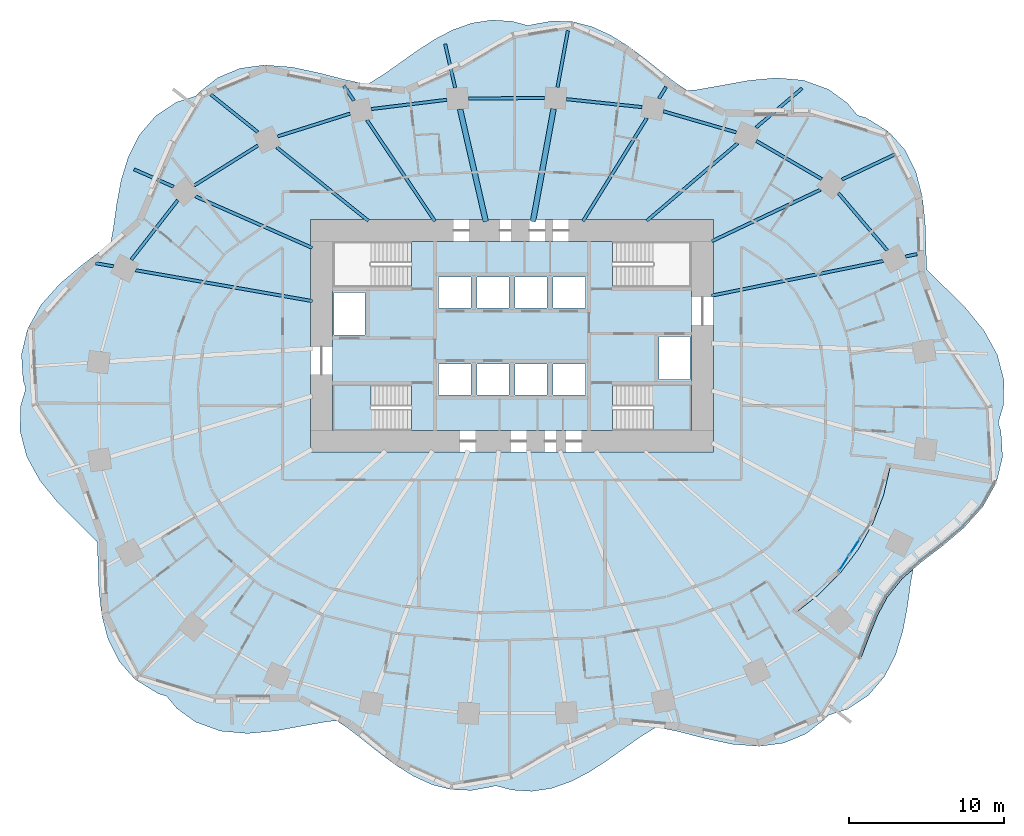
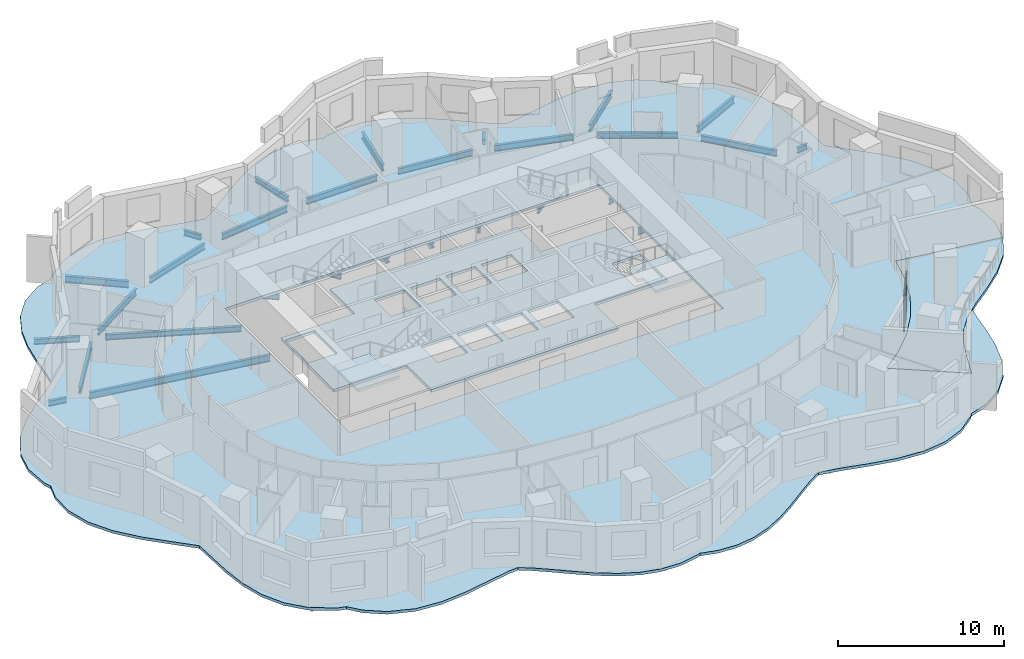
# One storey, part 3 of 14: 29 beams, 5 slabs, 2 plates, 3 elements without a shape of their own.
"""IFC4 building model written with IfcOpenShell, lengths in metres."""

from ifc_helpers import new_model, si_unit, direction, frame, origin, origin_2d, place, context, subcontext, project, spatial, polyline, rectangle, i_section, outline, extrude, material, layer, layer_set, material_profile, profile_set, type_object, element, aggregate, save


model = new_model("IFC4")

# Units and contexts
model_context = context("Model", 3, precision=1e-05, world=origin(), true_north=direction((0.0, 1.0)))
body_context = subcontext(model_context, "Body", "Model", "MODEL_VIEW")
ifc_project = project(units=[si_unit("LENGTHUNIT", "METRE"), si_unit("AREAUNIT", "SQUARE_METRE"), si_unit("VOLUMEUNIT", "CUBIC_METRE"), si_unit("PLANEANGLEUNIT", "RADIAN"), si_unit("MASSUNIT", "GRAM", prefix="KILO")], contexts=[model_context])

# Site, building, storey
site_placement = place(None, origin())
site = spatial("IfcSite", under=ifc_project, at=site_placement, CompositionType="ELEMENT")
building_placement = place(site_placement, origin())
building = spatial("IfcBuilding", under=site, at=building_placement, Name="Rubra Terraces Tower", CompositionType="ELEMENT")
storey_placement = place(building_placement, frame((0.0, 0.0, 62.699951171875)))
storey = spatial("IfcBuildingStorey", under=building, at=storey_placement, Name="L13", CompositionType="ELEMENT", Elevation=62.699951171875)

# Beams
ifc_material_1 = material(Name="Steel Q355B", Category="steel")
ifc_material_profile_1 = material_profile(ifc_material_1, i_section(OverallWidth=0.199951171875, OverallDepth=0.39990234375, WebThickness=0.008056640625, FlangeThickness=0.012939453125, at=origin_2d()), Name="HN 400x200x8x13")
ifc_profile_set_1 = profile_set([ifc_material_profile_1], Name="Steel Q355B")
beam_type_1 = type_object("IfcBeamType", Name="CANTILEVER BEAM HN 400x200x8x13", PredefinedType="BEAM", material=ifc_profile_set_1)
beam_1_placement = place(storey_placement, frame((-3.6669921875, 20.514892578125, -0.39990234375), z_axis=(-0.223149467585, 0.974784240289, 0.0), x_axis=(-0.974784240289, -0.223149467585, 0.0)))
element("IfcBeam", 1, at=beam_1_placement, inside=storey, type_object=beam_type_1, Name="beam-L13-cant-07", PredefinedType="BEAM", context=body_context, shape_type="SweptSolid", body=[
    extrude(i_section(OverallWidth=0.199951171875, OverallDepth=0.39990234375, WebThickness=0.008056640625, FlangeThickness=0.012939453125, at=origin_2d()), origin(), (0.0, 0.0, 1.0), 2.899169921875),
])
beam_2_placement = place(storey_placement, frame((-21.8369140625, 14.1259765625, -0.39990234375), z_axis=(-0.914977711783, 0.403504382802, 0.0), x_axis=(-0.403504382802, -0.914977711783, 0.0)))
element("IfcBeam", 2, at=beam_2_placement, inside=storey, type_object=beam_type_1, Name="beam-L13-cant-10", PredefinedType="BEAM", context=body_context, shape_type="SweptSolid", body=[
    extrude(i_section(OverallWidth=0.199951171875, OverallDepth=0.39990234375, WebThickness=0.008056640625, FlangeThickness=0.012939453125, at=origin_2d()), origin(), (0.0, 0.0, 1.0), 2.7880859375),
])
ifc_material_profile_2 = material_profile(ifc_material_1, i_section(OverallWidth=0.198974609375, OverallDepth=0.49609375, WebThickness=0.009033203125, FlangeThickness=0.013916015625, at=origin_2d()), Name="HN 496x199x9x14")
ifc_profile_set_2 = profile_set([ifc_material_profile_2], Name="Steel Q355B")
beam_type_2 = type_object("IfcBeamType", Name="CANTILEVER BEAM HN 496x199x9x14", PredefinedType="BEAM", material=ifc_profile_set_2)
beam_3_placement = place(storey_placement, frame((21.2958984375, 14.595947265625, -0.447998046875), z_axis=(0.903605833067, 0.428364912717, 0.0), x_axis=(-0.428364912717, 0.903605833067, 0.0)))
element("IfcBeam", 3, at=beam_3_placement, inside=storey, type_object=beam_type_2, Name="beam-L13-cant-03", PredefinedType="BEAM", context=body_context, shape_type="SweptSolid", body=[
    extrude(i_section(OverallWidth=0.198974609375, OverallDepth=0.49609375, WebThickness=0.009033203125, FlangeThickness=0.013916015625, at=origin_2d()), origin(), (0.0, 0.0, 1.0), 3.880126953125),
])
beam_4_placement = place(storey_placement, frame((15.7509765625, 17.947998046875, -0.447998046875), z_axis=(0.760549427377, 0.649280038594, 0.0), x_axis=(-0.649280038594, 0.760549427377, 0.0)))
element("IfcBeam", 4, at=beam_4_placement, inside=storey, type_object=beam_type_2, Name="beam-L13-cant-04", PredefinedType="BEAM", context=body_context, shape_type="SweptSolid", body=[
    extrude(i_section(OverallWidth=0.198974609375, OverallDepth=0.49609375, WebThickness=0.009033203125, FlangeThickness=0.013916015625, at=origin_2d()), origin(), (0.0, 0.0, 1.0), 3.901123046875),
])
beam_5_placement = place(storey_placement, frame((2.93798828125, 20.549072265625, -0.447998046875), z_axis=(0.180160105154, 0.983637299268, 0.0), x_axis=(-0.983637299268, 0.180160105154, 0.0)))
element("IfcBeam", 5, at=beam_5_placement, inside=storey, type_object=beam_type_2, Name="beam-L13-cant-06", PredefinedType="BEAM", context=body_context, shape_type="SweptSolid", body=[
    extrude(i_section(OverallWidth=0.198974609375, OverallDepth=0.49609375, WebThickness=0.009033203125, FlangeThickness=0.013916015625, at=origin_2d()), origin(), (0.0, 0.0, 1.0), 3.70751953125),
])
beam_6_placement = place(storey_placement, frame((-16.408935546875, 17.654052734375, -0.447998046875), z_axis=(-0.780303082646, 0.625401550376, 0.0), x_axis=(-0.625401550376, -0.780303082646, 0.0)))
element("IfcBeam", 6, at=beam_6_placement, inside=storey, type_object=beam_type_2, Name="beam-L13-cant-09", PredefinedType="BEAM", context=body_context, shape_type="SweptSolid", body=[
    extrude(i_section(OverallWidth=0.198974609375, OverallDepth=0.49609375, WebThickness=0.009033203125, FlangeThickness=0.013916015625, at=origin_2d()), origin(), (0.0, 0.0, 1.0), 3.875732421875),
])
ifc_material_profile_3 = material_profile(ifc_material_1, i_section(OverallWidth=0.199951171875, OverallDepth=0.39990234375, WebThickness=0.008056640625, FlangeThickness=0.012939453125, at=origin_2d()), Name="HN 400x200x8x13")
ifc_profile_set_3 = profile_set([ifc_material_profile_3], Name="Steel Q355B")
beam_type_3 = type_object("IfcBeamType", Name="CANTILEVER STUB HN 400x200x8x13", PredefinedType="BEAM", material=ifc_profile_set_3)
beam_7_placement = place(storey_placement, frame((25.39599609375, 9.6279296875, -0.39990234375), z_axis=(0.980131570492, 0.198348442202, 0.0), x_axis=(-0.198348442202, 0.980131570492, 0.0)))
element("IfcBeam", 7, at=beam_7_placement, inside=storey, type_object=beam_type_3, Name="beam-L13-cant-02", PredefinedType="BEAM", context=body_context, shape_type="SweptSolid", body=[
    extrude(i_section(OverallWidth=0.199951171875, OverallDepth=0.39990234375, WebThickness=0.008056640625, FlangeThickness=0.012939453125, at=origin_2d()), origin(), (0.0, 0.0, 1.0), 0.757080078125),
])
beam_8_placement = place(storey_placement, frame((9.488037109375, 19.827880859375, -0.39990234375), z_axis=(0.526364336009, 0.850259128606, 0.0), x_axis=(-0.850259128606, 0.526364336009, 0.0)))
element("IfcBeam", 8, at=beam_8_placement, inside=storey, type_object=beam_type_3, Name="beam-L13-cant-05", PredefinedType="BEAM", context=body_context, shape_type="SweptSolid", body=[
    extrude(i_section(OverallWidth=0.199951171875, OverallDepth=0.39990234375, WebThickness=0.008056640625, FlangeThickness=0.012939453125, at=origin_2d()), origin(), (0.0, 0.0, 1.0), 0.864501953125),
])
beam_9_placement = place(storey_placement, frame((-10.199951171875, 19.68310546875, -0.39990234375), z_axis=(-0.557843143938, 0.829946399932, 0.0), x_axis=(-0.829946399932, -0.557843143938, 0.0)))
element("IfcBeam", 9, at=beam_9_placement, inside=storey, type_object=beam_type_3, Name="beam-L13-cant-08", PredefinedType="BEAM", context=body_context, shape_type="SweptSolid", body=[
    extrude(i_section(OverallWidth=0.199951171875, OverallDepth=0.39990234375, WebThickness=0.008056640625, FlangeThickness=0.012939453125, at=origin_2d()), origin(), (0.0, 0.0, 1.0), 1.163818359375),
])
beam_10_placement = place(storey_placement, frame((-25.722900390625, 8.991943359375, -0.39990234375), z_axis=(-0.985070350179, 0.172152273287, 0.0), x_axis=(-0.172152273287, -0.985070350179, 0.0)))
element("IfcBeam", 10, at=beam_10_placement, inside=storey, type_object=beam_type_3, Name="beam-L13-cant-11", PredefinedType="BEAM", context=body_context, shape_type="SweptSolid", body=[
    extrude(i_section(OverallWidth=0.199951171875, OverallDepth=0.39990234375, WebThickness=0.008056640625, FlangeThickness=0.012939453125, at=origin_2d()), origin(), (0.0, 0.0, 1.0), 1.16845703125),
])
ifc_material_profile_4 = material_profile(ifc_material_1, i_section(OverallWidth=0.199951171875, OverallDepth=0.39990234375, WebThickness=0.008056640625, FlangeThickness=0.012939453125, at=origin_2d()), Name="HN 400x200x8x13")
ifc_profile_set_4 = profile_set([ifc_material_profile_4], Name="Steel Q355B")
beam_type_4 = type_object("IfcBeamType", Name="FLOOR BEAM HN 400x200x8x13", PredefinedType="BEAM", material=ifc_profile_set_4)
beam_11_placement = place(storey_placement, frame((19.904052734375, 13.93603515625, -0.39990234375), z_axis=(-0.903612237836, -0.428351402045, 0.0), x_axis=(0.428351402045, -0.903612237836, 0.0)))
element("IfcBeam", 11, at=beam_11_placement, inside=storey, type_object=beam_type_4, Name="beam-L13-floor-03", PredefinedType="BEAM", context=body_context, shape_type="SweptSolid", body=[
    extrude(i_section(OverallWidth=0.199951171875, OverallDepth=0.39990234375, WebThickness=0.008056640625, FlangeThickness=0.012939453125, at=origin_2d()), origin(), (0.0, 0.0, 1.0), 7.760009765625),
])
beam_12_placement = place(storey_placement, frame((14.56298828125, 16.93408203125, -0.39990234375), z_axis=(-0.760494401061, -0.649344489431, 0.0), x_axis=(0.649344489431, -0.760494401061, 0.0)))
element("IfcBeam", 12, at=beam_12_placement, inside=storey, type_object=beam_type_4, Name="beam-L13-floor-04", PredefinedType="BEAM", context=body_context, shape_type="SweptSolid", body=[
    extrude(i_section(OverallWidth=0.199951171875, OverallDepth=0.39990234375, WebThickness=0.008056640625, FlangeThickness=0.012939453125, at=origin_2d()), origin(), (0.0, 0.0, 1.0), 7.718505859375),
])
beam_13_placement = place(storey_placement, frame((8.699951171875, 18.555908203125, -0.39990234375), z_axis=(-0.526285914839, -0.850307671283, 0.0), x_axis=(0.850307671283, -0.526285914839, 0.0)))
element("IfcBeam", 13, at=beam_13_placement, inside=storey, type_object=beam_type_4, Name="beam-L13-floor-05", PredefinedType="BEAM", context=body_context, shape_type="SweptSolid", body=[
    extrude(i_section(OverallWidth=0.199951171875, OverallDepth=0.39990234375, WebThickness=0.008056640625, FlangeThickness=0.012939453125, at=origin_2d()), origin(), (0.0, 0.0, 1.0), 7.830078125),
])
beam_14_placement = place(storey_placement, frame((-9.360107421875, 18.43310546875, -0.39990234375), z_axis=(0.557574689395, -0.830126776912, 0.0), x_axis=(0.830126776912, 0.557574689395, 0.0)))
element("IfcBeam", 14, at=beam_14_placement, inside=storey, type_object=beam_type_4, Name="beam-L13-floor-08", PredefinedType="BEAM", context=body_context, shape_type="SweptSolid", body=[
    extrude(i_section(OverallWidth=0.199951171875, OverallDepth=0.39990234375, WebThickness=0.008056640625, FlangeThickness=0.012939453125, at=origin_2d()), origin(), (0.0, 0.0, 1.0), 7.8701171875),
])
beam_15_placement = place(storey_placement, frame((-15.18896484375, 16.676025390625, -0.39990234375), z_axis=(0.780266406942, -0.625447307291, 0.0), x_axis=(0.625447307291, 0.780266406942, 0.0)))
element("IfcBeam", 15, at=beam_15_placement, inside=storey, type_object=beam_type_4, Name="beam-L13-floor-09", PredefinedType="BEAM", context=body_context, shape_type="SweptSolid", body=[
    extrude(i_section(OverallWidth=0.199951171875, OverallDepth=0.39990234375, WebThickness=0.008056640625, FlangeThickness=0.012939453125, at=origin_2d()), origin(), (0.0, 0.0, 1.0), 7.59619140625),
])
beam_16_placement = place(storey_placement, frame((-20.43310546875, 13.508056640625, -0.39990234375), z_axis=(0.914994662209, -0.4034659442, 0.0), x_axis=(0.4034659442, 0.914994662209, 0.0)))
element("IfcBeam", 16, at=beam_16_placement, inside=storey, type_object=beam_type_4, Name="beam-L13-floor-10", PredefinedType="BEAM", context=body_context, shape_type="SweptSolid", body=[
    extrude(i_section(OverallWidth=0.199951171875, OverallDepth=0.39990234375, WebThickness=0.008056640625, FlangeThickness=0.012939453125, at=origin_2d()), origin(), (0.0, 0.0, 1.0), 8.243896484375),
])
ifc_material_profile_5 = material_profile(ifc_material_1, i_section(OverallWidth=0.198974609375, OverallDepth=0.49609375, WebThickness=0.009033203125, FlangeThickness=0.013916015625, at=origin_2d()), Name="HN 496x199x9x14")
ifc_profile_set_5 = profile_set([ifc_material_profile_5], Name="Steel Q355B")
beam_type_5 = type_object("IfcBeamType", Name="FLOOR BEAM HN 496x199x9x14", PredefinedType="BEAM", material=ifc_profile_set_5)
beam_17_placement = place(storey_placement, frame((23.9560546875, 9.337890625, -0.447998046875), z_axis=(-0.980204035637, -0.197990021264, 0.0), x_axis=(0.197990021264, -0.980204035637, 0.0)))
element("IfcBeam", 17, at=beam_17_placement, inside=storey, type_object=beam_type_5, Name="beam-L13-floor-02", PredefinedType="BEAM", context=body_context, shape_type="SweptSolid", body=[
    extrude(i_section(OverallWidth=0.198974609375, OverallDepth=0.49609375, WebThickness=0.009033203125, FlangeThickness=0.013916015625, at=origin_2d()), origin(), (0.0, 0.0, 1.0), 11.297607421875),
])
beam_18_placement = place(storey_placement, frame((-24.282958984375, 8.739990234375, -0.447998046875), z_axis=(0.985091834527, -0.172029292701, 0.0), x_axis=(0.172029292701, 0.985091834527, 0.0)))
element("IfcBeam", 18, at=beam_18_placement, inside=storey, type_object=beam_type_5, Name="beam-L13-floor-11", PredefinedType="BEAM", context=body_context, shape_type="SweptSolid", body=[
    extrude(i_section(OverallWidth=0.198974609375, OverallDepth=0.49609375, WebThickness=0.009033203125, FlangeThickness=0.013916015625, at=origin_2d()), origin(), (0.0, 0.0, 1.0), 11.573486328125),
])
ifc_material_profile_6 = material_profile(ifc_material_1, i_section(OverallWidth=0.35009765625, OverallDepth=0.35009765625, WebThickness=0.011962890625, FlangeThickness=0.01904296875, at=origin_2d()), Name="HW 350x350x12x19")
ifc_profile_set_6 = profile_set([ifc_material_profile_6], Name="Steel Q355B")
beam_type_6 = type_object("IfcBeamType", Name="FLOOR BEAM HW 350x350x12x19", PredefinedType="BEAM", material=ifc_profile_set_6)
beam_19_placement = place(storey_placement, frame((2.68408203125, 19.158935546875, -0.375), z_axis=(-0.180186319425, -0.983632497578, 0.0), x_axis=(0.983632497578, -0.180186319425, 0.0)))
element("IfcBeam", 19, at=beam_19_placement, inside=storey, type_object=beam_type_6, Name="beam-L13-floor-06", PredefinedType="BEAM", context=body_context, shape_type="SweptSolid", body=[
    extrude(i_section(OverallWidth=0.35009765625, OverallDepth=0.35009765625, WebThickness=0.011962890625, FlangeThickness=0.01904296875, at=origin_2d()), origin(), (0.0, 0.0, 1.0), 7.39794921875),
])
beam_20_placement = place(storey_placement, frame((-3.35107421875, 19.133056640625, -0.375), z_axis=(0.223209821828, -0.974770421914, 0.0), x_axis=(0.974770421914, 0.223209821828, 0.0)))
element("IfcBeam", 20, at=beam_20_placement, inside=storey, type_object=beam_type_6, Name="beam-L13-floor-07", PredefinedType="BEAM", context=body_context, shape_type="SweptSolid", body=[
    extrude(i_section(OverallWidth=0.35009765625, OverallDepth=0.35009765625, WebThickness=0.011962890625, FlangeThickness=0.01904296875, at=origin_2d()), origin(), (0.0, 0.0, 1.0), 7.437744140625),
])
ifc_material_profile_7 = material_profile(ifc_material_1, i_section(OverallWidth=0.198974609375, OverallDepth=0.446044921875, WebThickness=0.008056640625, FlangeThickness=0.011962890625, at=origin_2d()), Name="HN 446x199x8x12")
ifc_profile_set_7 = profile_set([ifc_material_profile_7], Name="Steel Q355B")
beam_type_7 = type_object("IfcBeamType", Name="SPANDREL BEAM HN 446x199x8x12", PredefinedType="SPANDREL", material=ifc_profile_set_7)
beam_21_placement = place(storey_placement, frame((24.212890625, 10.02587890625, -0.4228515625), z_axis=(-0.648447050824, 0.761259760054, 0.0), x_axis=(-0.761259760054, -0.648447050824, 0.0)))
element("IfcBeam", 21, at=beam_21_placement, inside=storey, type_object=beam_type_7, Name="beam-L13-spandrel-02", PredefinedType="SPANDREL", context=body_context, shape_type="SweptSolid", body=[
    extrude(i_section(OverallWidth=0.198974609375, OverallDepth=0.446044921875, WebThickness=0.008056640625, FlangeThickness=0.011962890625, at=origin_2d()), origin(), (0.0, 0.0, 1.0), 4.860595703125),
])
beam_22_placement = place(storey_placement, frame((19.987060546875, 14.6240234375, -0.4228515625), z_axis=(-0.863806081452, 0.503824427402, 0.0), x_axis=(-0.503824427402, -0.863806081452, 0.0)))
element("IfcBeam", 22, at=beam_22_placement, inside=storey, type_object=beam_type_7, Name="beam-L13-spandrel-03", PredefinedType="SPANDREL", context=body_context, shape_type="SweptSolid", body=[
    extrude(i_section(OverallWidth=0.198974609375, OverallDepth=0.446044921875, WebThickness=0.008056640625, FlangeThickness=0.011962890625, at=origin_2d()), origin(), (0.0, 0.0, 1.0), 4.886474609375),
])
beam_23_placement = place(storey_placement, frame((14.47900390625, 17.636962890625, -0.4228515625), z_axis=(-0.960743980202, 0.277436487337, 0.0), x_axis=(-0.277436487337, -0.960743980202, 0.0)))
element("IfcBeam", 23, at=beam_23_placement, inside=storey, type_object=beam_type_7, Name="beam-L13-spandrel-04", PredefinedType="SPANDREL", context=body_context, shape_type="SweptSolid", body=[
    extrude(i_section(OverallWidth=0.198974609375, OverallDepth=0.446044921875, WebThickness=0.008056640625, FlangeThickness=0.011962890625, at=origin_2d()), origin(), (0.0, 0.0, 1.0), 4.90234375),
])
beam_24_placement = place(storey_placement, frame((8.39501953125, 19.26611328125, -0.4228515625), z_axis=(-0.994495375694, 0.104780473964, 0.0), x_axis=(-0.104780473964, -0.994495375694, 0.0)))
element("IfcBeam", 24, at=beam_24_placement, inside=storey, type_object=beam_type_7, Name="beam-L13-spandrel-05", PredefinedType="SPANDREL", context=body_context, shape_type="SweptSolid", body=[
    extrude(i_section(OverallWidth=0.198974609375, OverallDepth=0.446044921875, WebThickness=0.008056640625, FlangeThickness=0.011962890625, at=origin_2d()), origin(), (0.0, 0.0, 1.0), 4.9140625),
])
beam_25_placement = place(storey_placement, frame((2.110107421875, 19.85107421875, -0.4228515625), z_axis=(-0.999987924698, -0.004914311469, 0.0), x_axis=(0.004914311469, -0.999987924698, 0.0)))
element("IfcBeam", 25, at=beam_25_placement, inside=storey, type_object=beam_type_7, Name="beam-L13-spandrel-06", PredefinedType="SPANDREL", context=body_context, shape_type="SweptSolid", body=[
    extrude(i_section(OverallWidth=0.198974609375, OverallDepth=0.446044921875, WebThickness=0.008056640625, FlangeThickness=0.011962890625, at=origin_2d()), origin(), (0.0, 0.0, 1.0), 4.918212890625),
])
beam_26_placement = place(storey_placement, frame((-4.205078125, 19.739013671875, -0.4228515625), z_axis=(-0.992616576014, -0.12129440639, 0.0), x_axis=(0.12129440639, -0.992616576014, 0.0)))
element("IfcBeam", 26, at=beam_26_placement, inside=storey, type_object=beam_type_7, Name="beam-L13-spandrel-07", PredefinedType="SPANDREL", context=body_context, shape_type="SweptSolid", body=[
    extrude(i_section(OverallWidth=0.198974609375, OverallDepth=0.446044921875, WebThickness=0.008056640625, FlangeThickness=0.011962890625, at=origin_2d()), origin(), (0.0, 0.0, 1.0), 4.913330078125),
])
beam_27_placement = place(storey_placement, frame((-10.450927734375, 18.846923828125, -0.4228515625), z_axis=(-0.953954624663, -0.299950952796, 0.0), x_axis=(0.299950952796, -0.953954624663, 0.0)))
element("IfcBeam", 27, at=beam_27_placement, inside=storey, type_object=beam_type_7, Name="beam-L13-spandrel-08", PredefinedType="SPANDREL", context=body_context, shape_type="SweptSolid", body=[
    extrude(i_section(OverallWidth=0.198974609375, OverallDepth=0.446044921875, WebThickness=0.008056640625, FlangeThickness=0.011962890625, at=origin_2d()), origin(), (0.0, 0.0, 1.0), 4.900634765625),
])
beam_28_placement = place(storey_placement, frame((-16.39697265625, 16.7900390625, -0.4228515625), z_axis=(-0.847078460197, -0.531467856291, 0.0), x_axis=(0.531467856291, -0.847078460197, 0.0)))
element("IfcBeam", 28, at=beam_28_placement, inside=storey, type_object=beam_type_7, Name="beam-L13-spandrel-09", PredefinedType="SPANDREL", context=body_context, shape_type="SweptSolid", body=[
    extrude(i_section(OverallWidth=0.198974609375, OverallDepth=0.446044921875, WebThickness=0.008056640625, FlangeThickness=0.011962890625, at=origin_2d()), origin(), (0.0, 0.0, 1.0), 4.882568359375),
])
beam_29_placement = place(storey_placement, frame((-21.572998046875, 13.257080078125, -0.4228515625), z_axis=(-0.615577734286, -0.788076172112, 0.0), x_axis=(0.788076172112, -0.615577734286, 0.0)))
element("IfcBeam", 29, at=beam_29_placement, inside=storey, type_object=beam_type_7, Name="beam-L13-spandrel-10", PredefinedType="SPANDREL", context=body_context, shape_type="SweptSolid", body=[
    extrude(i_section(OverallWidth=0.198974609375, OverallDepth=0.446044921875, WebThickness=0.008056640625, FlangeThickness=0.011962890625, at=origin_2d()), origin(), (0.0, 0.0, 1.0), 4.85888671875),
])

# Slab
ifc_material_2 = material(Name="Concrete C40", Category="concrete")
ifc_layer_1 = layer(ifc_material_2, 0.199951171875)
ifc_layer_set_1 = layer_set([ifc_layer_1], Name="Concrete C40")
slab_type_1 = type_object("IfcSlabType", Name="Core floor slab 200 concrete", PredefinedType="FLOOR", material=ifc_layer_set_1)
slab_1_placement = place(storey_placement, frame((0.0, 0.0, -0.199951171875)))
element("IfcSlab", 30, at=slab_1_placement, inside=storey, type_object=slab_type_1, Name="CORE FLOOR SLAB L13", PredefinedType="FLOOR", context=body_context, shape_type="SweptSolid", body=[
    extrude(outline(polyline([(-11.60009765625, 1.347900390625), (-11.60009765625, 7.652099609375), (-6.501953125, 7.652099609375), (-6.501953125, 10.60009765625), (6.501953125, 10.60009765625), (6.501953125, 7.652099609375), (11.60009765625, 7.652099609375), (11.60009765625, 1.347900390625), (6.501953125, 1.347900390625), (6.501953125, -1.60009765625), (-6.501953125, -1.60009765625), (-6.501953125, 1.347900390625), (-11.60009765625, 1.347900390625)]), holes=[polyline([(9.5, 1.699951171875), (11.5, 1.699951171875), (11.5, 4.449951171875), (9.5, 4.449951171875), (9.5, 1.699951171875)]), polyline([(4.75, 0.699951171875), (4.75, 2.699951171875), (2.64990234375, 2.699951171875), (2.64990234375, 0.699951171875), (4.75, 0.699951171875)]), polyline([(4.75, 6.300048828125), (4.75, 8.300048828125), (2.64990234375, 8.300048828125), (2.64990234375, 6.300048828125), (4.75, 6.300048828125)]), polyline([(2.25, 0.699951171875), (2.25, 2.699951171875), (0.199951171875, 2.699951171875), (0.199951171875, 0.699951171875), (2.25, 0.699951171875)]), polyline([(2.25, 6.300048828125), (2.25, 8.300048828125), (0.199951171875, 8.300048828125), (0.199951171875, 6.300048828125), (2.25, 6.300048828125)]), polyline([(-0.199951171875, 0.699951171875), (-0.199951171875, 2.699951171875), (-2.25, 2.699951171875), (-2.25, 0.699951171875), (-0.199951171875, 0.699951171875)]), polyline([(-0.199951171875, 6.300048828125), (-0.199951171875, 8.300048828125), (-2.25, 8.300048828125), (-2.25, 6.300048828125), (-0.199951171875, 6.300048828125)]), polyline([(-2.64990234375, 0.699951171875), (-2.64990234375, 2.699951171875), (-4.75, 2.699951171875), (-4.75, 0.699951171875), (-2.64990234375, 0.699951171875)]), polyline([(-2.64990234375, 8.300048828125), (-4.75, 8.300048828125), (-4.75, 6.300048828125), (-2.64990234375, 6.300048828125), (-2.64990234375, 8.300048828125)]), polyline([(-9.5, 7.300048828125), (-11.5, 7.300048828125), (-11.5, 4.550048828125), (-9.5, 4.550048828125), (-9.5, 7.300048828125)])]), origin(), (0.0, 0.0, 1.0), 0.199951171875),
])

# Stair, slab
stair_type = type_object("IfcStairType", Name="Core stair 1400", PredefinedType="HALF_TURN_STAIR", material=ifc_material_2)
stair_1_placement = place(storey_placement, origin())
stair_1 = element("IfcStair", 31, at=stair_1_placement, inside=storey, type_object=stair_type, Name="L13 Exit stair S1", PredefinedType="HALF_TURN_STAIR")
ifc_layer_2 = layer(ifc_material_2, 0.199951171875)
ifc_layer_set_2 = layer_set([ifc_layer_2], Name="Concrete C40")
slab_type_2 = type_object("IfcSlabType", Name="Core stair landing 200", PredefinedType="LANDING", material=ifc_layer_set_2)
slab_2_placement = place(storey_placement, frame((0.0, 0.0, 1.60009765625)))
slab_2 = element("IfcSlab", 32, at=slab_2_placement, type_object=slab_type_2, Name="S1 landing 1", PredefinedType="LANDING", context=body_context, shape_type="SweptSolid", body=[
    extrude(outline(polyline([(-8.719970703125, -0.199951171875), (-8.719970703125, -1.60009765625), (-9.10009765625, -1.60009765625), (-9.1201171875, -1.60009765625), (-11.60009765625, -1.60009765625), (-11.60009765625, 1.35009765625), (-9.1201171875, 1.35009765625), (-9.097900390625, 1.35009765625), (-9.097900390625, -0.050048828125), (-9.10009765625, -0.050048828125), (-9.10009765625, -0.199951171875), (-8.719970703125, -0.199951171875)])), origin(), (0.0, 0.0, 1.0), 0.199951171875),
])
aggregate(stair_1, [slab_2])

stair_2_placement = place(storey_placement, origin())
stair_2 = element("IfcStair", 33, at=stair_2_placement, inside=storey, type_object=stair_type, Name="L13 Exit stair S4", PredefinedType="HALF_TURN_STAIR")
slab_3_placement = place(storey_placement, frame((0.0, 0.0, 1.60009765625)))
slab_3 = element("IfcSlab", 34, at=slab_3_placement, type_object=slab_type_2, Name="S4 landing 1", PredefinedType="LANDING", context=body_context, shape_type="SweptSolid", body=[
    extrude(outline(polyline([(9.10009765625, -0.199951171875), (9.10009765625, -0.050048828125), (8.719970703125, -0.050048828125), (8.719970703125, 1.35009765625), (9.10009765625, 1.35009765625), (9.1201171875, 1.35009765625), (11.60009765625, 1.35009765625), (11.60009765625, -1.60009765625), (9.1201171875, -1.60009765625), (9.10009765625, -1.60009765625), (9.097900390625, -1.60009765625), (9.097900390625, -0.199951171875), (9.10009765625, -0.199951171875)])), origin(), (0.0, 0.0, 1.0), 0.199951171875),
])
aggregate(stair_2, [slab_3])

# Slabs
ifc_layer_3 = layer(ifc_material_2, 0.199951171875)
ifc_layer_set_3 = layer_set([ifc_layer_3], Name="Concrete C40")
slab_type_3 = type_object("IfcSlabType", Name="FLOOR SLAB 200 COMPOSITE", PredefinedType="FLOOR", material=ifc_layer_set_3)
slab_4_placement = place(storey_placement, frame((0.0, 0.0, -0.199951171875)))
element("IfcSlab", 35, at=slab_4_placement, inside=storey, type_object=slab_type_3, Name="FLOOR SLAB L13", PredefinedType="FLOOR", context=body_context, shape_type="SweptSolid", body=[
    extrude(outline(polyline([(6.113037109375, -22.916015625), (7.196044921875, -22.14599609375), (8.248046875, -21.404052734375), (9.283935546875, -20.757080078125), (9.337890625, -20.7451171875), (10.712890625, -21.02587890625), (12.422119140625, -21.467041015625), (14.194091796875, -21.846923828125), (15.972900390625, -21.98388671875), (17.5390625, -21.77294921875), (18.971923828125, -21.178955078125), (20.2109375, -20.2109375), (20.39501953125, -19.985107421875), (21.64111328125, -19.592041015625), (22.986083984375, -18.7119140625), (24.048095703125, -17.471923828125), (24.759033203125, -16.074951171875), (25.22607421875, -14.548095703125), (25.513916015625, -13.0), (25.739013671875, -11.376953125), (25.89208984375, -10.550048828125), (25.176025390625, -11.172119140625), (24.22705078125, -12.343994140625), (23.593994140625, -13.52197265625), (23.052001953125, -14.8720703125), (22.5, -16.346923828125), (18.35205078125, -13.333984375), (19.847900390625, -12.15087890625), (21.19189453125, -10.798095703125), (22.35888671875, -9.259033203125), (23.297119140625, -7.570068359375), (23.986083984375, -5.757080078125), (24.427001953125, -3.868896484375), (31.26611328125, -4.951904296875), (31.658935546875, -3.304931640625), (31.553955078125, -1.6279296875), (31.382080078125, -1.10595703125), (31.70703125, 0.0), (31.751953125, 1.637939453125), (31.323974609375, 3.27587890625), (30.47509765625, 4.826904296875), (29.300048828125, 6.27197265625), (28.02099609375, 7.550048828125), (26.830078125, 8.718017578125), (26.77001953125, 8.7890625), (26.715087890625, 10.19189453125), (26.6650390625, 11.81103515625), (26.48291015625, 13.493896484375), (26.068115234375, 15.0791015625), (25.35205078125, 16.506103515625), (24.322021484375, 17.6708984375), (22.818115234375, 18.594970703125), (22.299072265625, 18.739013671875), (21.62890625, 19.54296875), (20.419921875, 20.419921875), (18.81201171875, 21.001953125), (17.053955078125, 21.155029296875), (15.2470703125, 20.986083984375), (13.51904296875, 20.6689453125), (11.8759765625, 20.3798828125), (11.306884765625, 20.342041015625), (10.60205078125, 20.80810546875), (9.610107421875, 21.573974609375), (8.590087890625, 22.386962890625), (7.531005859375, 23.177978515625), (6.367919921875, 23.908935546875), (5.162109375, 24.4599609375), (3.924072265625, 24.778076171875), (2.60888671875, 24.8291015625), (1.2958984375, 24.593994140625), (1.091064453125, 24.51904296875), (0.0, 24.806884765625), (-1.281005859375, 24.889892578125), (-2.568115234375, 24.697021484375), (-3.840087890625, 24.24609375), (-4.992919921875, 23.639892578125), (-6.113037109375, 22.916015625), (-7.196044921875, 22.14599609375), (-8.248046875, 21.404052734375), (-9.283935546875, 20.757080078125), (-9.337890625, 20.7451171875), (-10.712890625, 21.02587890625), (-12.422119140625, 21.467041015625), (-14.194091796875, 21.846923828125), (-15.972900390625, 21.98388671875), (-17.5390625, 21.77294921875), (-18.971923828125, 21.178955078125), (-20.2109375, 20.2109375), (-20.39501953125, 19.985107421875), (-21.64111328125, 19.592041015625), (-22.986083984375, 18.7119140625), (-24.048095703125, 17.471923828125), (-24.759033203125, 16.074951171875), (-25.22607421875, 14.548095703125), (-25.513916015625, 13.0), (-25.739013671875, 11.376953125), (-25.89208984375, 10.550048828125), (-26.39111328125, 10.115966796875), (-27.805908203125, 9.034912109375), (-29.181884765625, 7.865966796875), (-30.39794921875, 6.501953125), (-31.26611328125, 4.951904296875), (-31.658935546875, 3.304931640625), (-31.553955078125, 1.6279296875), (-31.382080078125, 1.10595703125), (-31.70703125, 0.0), (-31.751953125, -1.637939453125), (-31.323974609375, -3.27587890625), (-30.47509765625, -4.826904296875), (-29.300048828125, -6.27197265625), (-28.02099609375, -7.550048828125), (-26.830078125, -8.718017578125), (-26.77001953125, -8.7890625), (-26.715087890625, -10.19189453125), (-26.6650390625, -11.81103515625), (-26.48291015625, -13.493896484375), (-26.068115234375, -15.0791015625), (-25.35205078125, -16.506103515625), (-24.322021484375, -17.6708984375), (-22.818115234375, -18.594970703125), (-22.299072265625, -18.739013671875), (-21.62890625, -19.54296875), (-20.419921875, -20.419921875), (-18.81201171875, -21.001953125), (-17.053955078125, -21.155029296875), (-15.2470703125, -20.986083984375), (-13.51904296875, -20.6689453125), (-11.8759765625, -20.3798828125), (-11.306884765625, -20.342041015625), (-10.60205078125, -20.80810546875), (-9.610107421875, -21.573974609375), (-8.590087890625, -22.386962890625), (-7.531005859375, -23.177978515625), (-6.367919921875, -23.908935546875), (-5.162109375, -24.4599609375), (-3.924072265625, -24.778076171875), (-2.60888671875, -24.8291015625), (-1.2958984375, -24.593994140625), (-1.091064453125, -24.51904296875), (0.0, -24.806884765625), (1.281005859375, -24.889892578125), (2.568115234375, -24.697021484375), (3.840087890625, -24.24609375), (4.992919921875, -23.639892578125), (6.113037109375, -22.916015625)]), holes=[polyline([(13.0, 12.0), (13.0, -3.0), (-13.0, -3.0), (-13.0, 12.0), (13.0, 12.0)])]), origin(), (0.0, 0.0, 1.0), 0.199951171875),
])
slab_5_placement = place(storey_placement, frame((0.0, 0.0, -0.199951171875)))
element("IfcSlab", 36, at=slab_5_placement, inside=storey, type_object=slab_type_3, Name="TERRACE SLAB L13", PredefinedType="FLOOR", context=body_context, shape_type="SweptSolid", body=[
    extrude(outline(polyline([(22.5, -16.346923828125), (23.052001953125, -14.8720703125), (23.593994140625, -13.52197265625), (24.22705078125, -12.343994140625), (25.176025390625, -11.172119140625), (26.39111328125, -10.115966796875), (27.805908203125, -9.034912109375), (29.181884765625, -7.865966796875), (30.39794921875, -6.501953125), (31.26611328125, -4.951904296875), (24.427001953125, -3.868896484375), (23.986083984375, -5.757080078125), (23.297119140625, -7.570068359375), (22.35888671875, -9.259033203125), (21.19189453125, -10.798095703125), (19.847900390625, -12.15087890625), (18.35205078125, -13.333984375), (22.5, -16.346923828125)])), origin(), (0.0, 0.0, 1.0), 0.199951171875),
])

# Curtain wall, plates
ifc_material_3 = material(Name="Aluminium and glass", Category="aluminium")
curtain_wall_type = type_object("IfcCurtainWallType", Name="Curtain wall Terrace glazing", PredefinedType="NOTDEFINED", material=ifc_material_3)
curtain_wall_placement = place(storey_placement, origin())
curtain_wall = element("IfcCurtainWall", 37, at=curtain_wall_placement, inside=storey, type_object=curtain_wall_type, Name="Terrace glazing L13", PredefinedType="NOTDEFINED")
ifc_material_4 = material(Name="Clear glass, laminated", Category="glass")
ifc_layer_4 = layer(ifc_material_4, 0.028076171875)
ifc_layer_set_4 = layer_set([ifc_layer_4], Name="Clear glass, laminated")
plate_type = type_object("IfcPlateType", Name="Terrace glazing glass panel 28", PredefinedType="CURTAIN_PANEL", material=ifc_layer_set_4)
plate_1_placement = place(storey_placement, frame((21.424072265625, -10.167724609375, 0.10009765625), z_axis=(0.0, 0.0, 1.0), x_axis=(0.54622820243, 0.837636407321, 0.0)))
plate_1 = element("IfcPlate", 38, at=plate_1_placement, type_object=plate_type, Name="CW3 panel 1.1", PredefinedType="CURTAIN_PANEL", context=body_context, shape_type="SweptSolid", body=[
    extrude(rectangle(XDim=1.20947265625, YDim=0.028076171875, at=origin_2d()), origin(), (0.0, 0.0, 1.0), 2.718017578125),
])
plate_2_placement = place(storey_placement, frame((22.118896484375, -9.10205078125, 0.10009765625), z_axis=(0.0, 0.0, 1.0), x_axis=(0.54622820243, 0.837636407321, 0.0)))
plate_2 = element("IfcPlate", 39, at=plate_2_placement, type_object=plate_type, Name="CW3 panel 2.1", PredefinedType="CURTAIN_PANEL", context=body_context, shape_type="SweptSolid", body=[
    extrude(rectangle(XDim=1.234619140625, YDim=0.028076171875, at=origin_2d()), origin(), (0.0, 0.0, 1.0), 2.718017578125),
])
aggregate(curtain_wall, [plate_1, plate_2])

save(model, "model.ifc")
